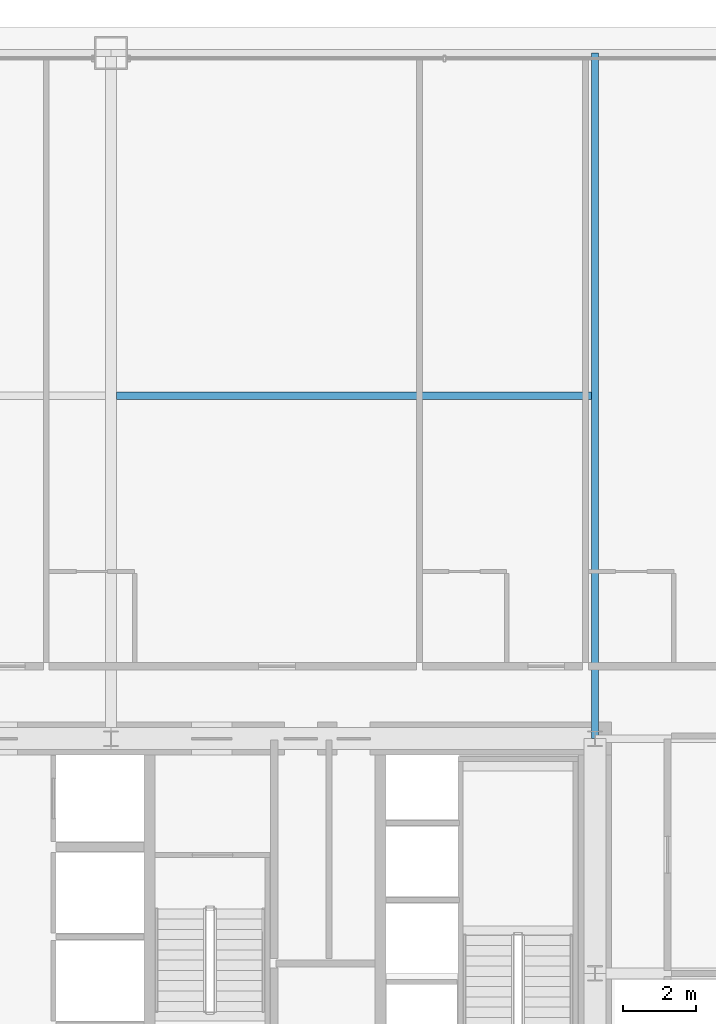
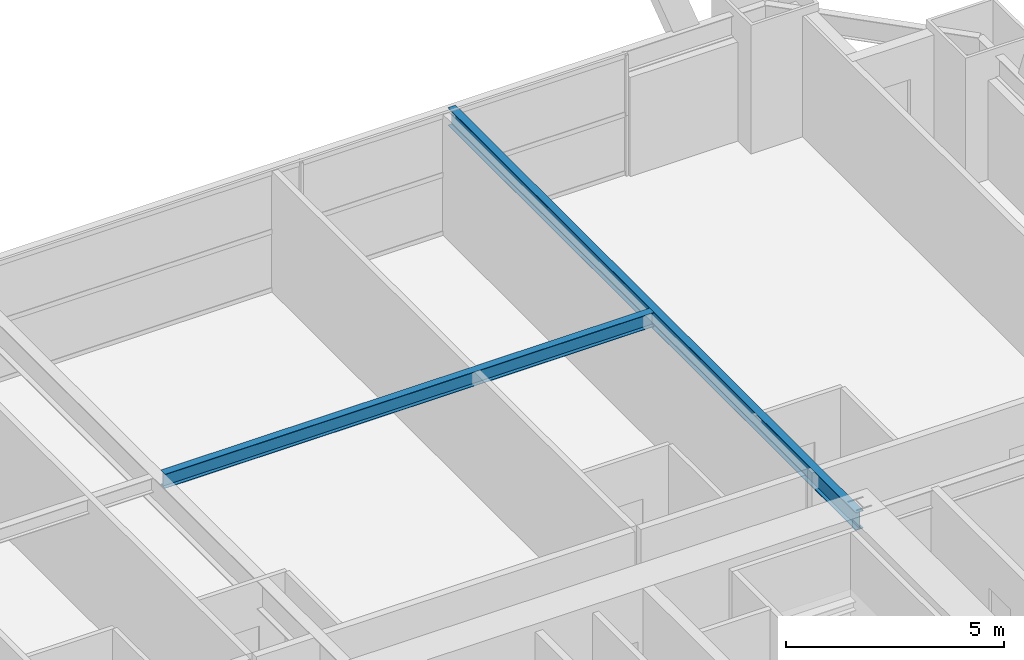
# One storey, part 31 of 43: 2 beams.
"""IFC4 building model written with IfcOpenShell, lengths in metres."""

from ifc_helpers import new_model, si_unit, direction, frame, origin, origin_2d, place, context, subcontext, project, spatial, i_section, extrude, source, transform, mapped, material, material_profile, profile_set, type_object, element, save


model = new_model("IFC4")

# Units and contexts
model_context = context("Model", 3, precision=1e-05, world=origin(), true_north=direction((0.0, 1.0)))
body_context = subcontext(model_context, "Body", "Model", "MODEL_VIEW")
ifc_project = project(units=[si_unit("LENGTHUNIT", "METRE"), si_unit("AREAUNIT", "SQUARE_METRE"), si_unit("VOLUMEUNIT", "CUBIC_METRE"), si_unit("PLANEANGLEUNIT", "RADIAN"), si_unit("MASSUNIT", "GRAM", prefix="KILO"), si_unit("THERMODYNAMICTEMPERATUREUNIT", "KELVIN"), si_unit("POWERUNIT", "WATT")], contexts=[model_context])

# Site, building, storey
site_placement = place(None, origin())
site = spatial("IfcSite", under=ifc_project, at=site_placement, CompositionType="ELEMENT")
building_placement = place(site_placement, origin())
building = spatial("IfcBuilding", under=site, at=building_placement, Name="Yuzanri Waterfront Tower", CompositionType="ELEMENT")
storey_placement = place(building_placement, frame((0.0, 0.0, 74.800048828125)))
storey = spatial("IfcBuildingStorey", under=building, at=storey_placement, Name="L19", CompositionType="ELEMENT", Elevation=74.800048828125)

# Beams
ifc_material_1 = material(Name="Steel Q355B", Category="steel")
ifc_material_profile_1 = material_profile(ifc_material_1, i_section(OverallWidth=0.199951171875, OverallDepth=0.5, WebThickness=0.010009765625, FlangeThickness=0.01611328125, at=origin_2d()), Name="HN 500x200x10x16")
ifc_profile_set_1 = profile_set([ifc_material_profile_1], Name="Steel Q355B")
beam_type_1 = type_object("IfcBeamType", Name="Secondary Floor Beam Q355B HN 500x200", PredefinedType="BEAM", material=ifc_profile_set_1)
shared_shape_1 = source(origin(), body_context, "Body", "SweptSolid", [
    extrude(i_section(OverallWidth=0.199951171875, OverallDepth=0.5, WebThickness=0.010009765625, FlangeThickness=0.01611328125, at=origin_2d()), origin(), (0.0, 0.0, 1.0), 18.699951171875),
])
beam_1_placement = place(storey_placement, frame((50.199951171875, 32.199951171875, 3.1298828125), z_axis=(0.0, 1.0, 0.0), x_axis=(-1.0, 0.0, 0.0)))
element("IfcBeam", 1, at=beam_1_placement, inside=storey, type_object=beam_type_1, Name="L19 North-East Core Line Beam", PredefinedType="BEAM", context=body_context, shape_type="MappedRepresentation", body=[
    mapped(shared_shape_1, transform((0.0, 0.0, 0.0), scale=1.0)),
])
ifc_material_2 = material(Name="Steel Q355B", Category="steel")
ifc_material_profile_2 = material_profile(ifc_material_2, i_section(OverallWidth=0.199951171875, OverallDepth=0.39990234375, WebThickness=0.008056640625, FlangeThickness=0.012939453125, at=origin_2d()), Name="HN 400x200x8x13")
ifc_profile_set_2 = profile_set([ifc_material_profile_2], Name="Steel Q355B")
beam_type_2 = type_object("IfcBeamType", Name="Floor Joist Q355B HN 400x200", PredefinedType="JOIST", material=ifc_profile_set_2)
shared_shape_2 = source(origin(), body_context, "Body", "SweptSolid", [
    extrude(i_section(OverallWidth=0.199951171875, OverallDepth=0.39990234375, WebThickness=0.008056640625, FlangeThickness=0.012939453125, at=origin_2d()), origin(), (0.0, 0.0, 1.0), 12.9501953125),
])
beam_2_placement = place(storey_placement, frame((37.14990234375, 41.550048828125, 3.179931640625), z_axis=(1.0, 0.0, 0.0), x_axis=(0.0, 1.0, 0.0)))
element("IfcBeam", 2, at=beam_2_placement, inside=storey, type_object=beam_type_2, Name="L19 North Bay Joist E", PredefinedType="JOIST", context=body_context, shape_type="MappedRepresentation", body=[
    mapped(shared_shape_2, transform((0.0, 0.0, 0.0), scale=1.0)),
])

save(model, "model.ifc")
